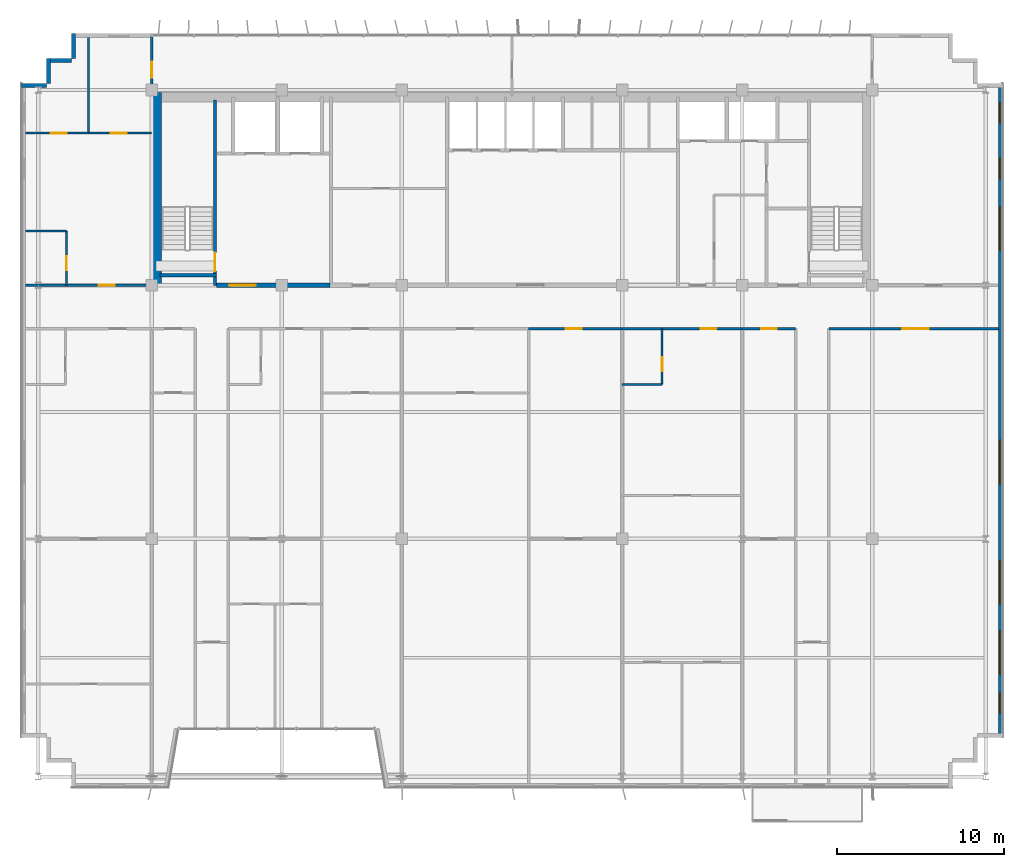
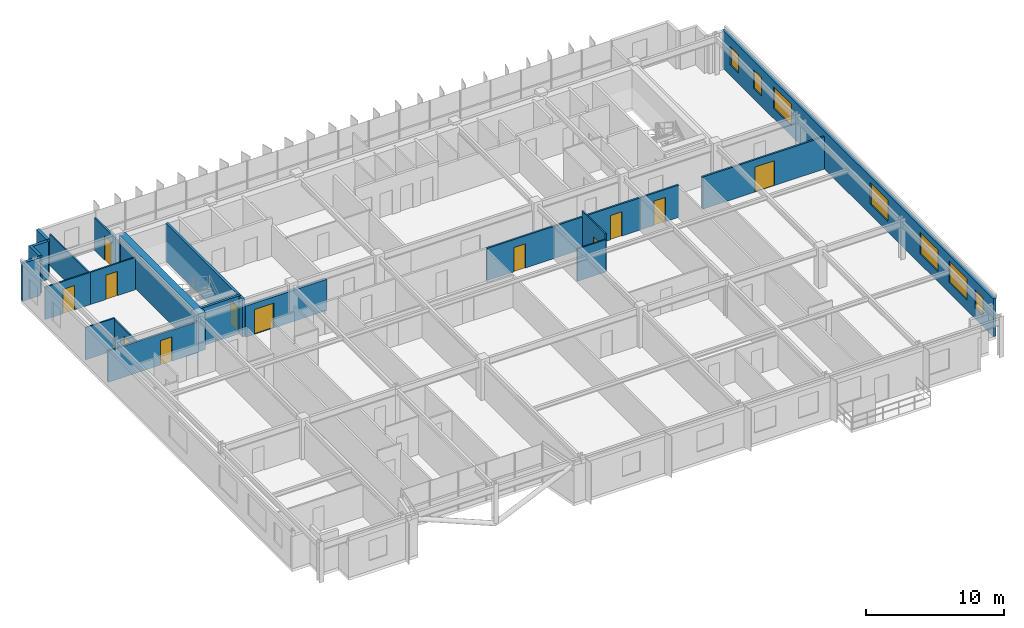
# One storey, part 20 of 24: 22 walls, 12 doors, 7 windows, 19 openings.
"""IFC4 building model written with IfcOpenShell, lengths in metres."""

from ifc_helpers import new_model, si_unit, direction, frame, frame_2d, origin, place, context, subcontext, project, spatial, rectangle, extrude, source, transform, mapped, material, layer, layer_set, type_object, element, fill, save


model = new_model("IFC4")

# Units and contexts
model_context = context("Model", 3, precision=1e-05, world=origin(), true_north=direction((0.0, 1.0)))
body_context = subcontext(model_context, "Body", "Model", "MODEL_VIEW")
ifc_project = project(units=[si_unit("LENGTHUNIT", "METRE"), si_unit("AREAUNIT", "SQUARE_METRE"), si_unit("VOLUMEUNIT", "CUBIC_METRE"), si_unit("PLANEANGLEUNIT", "RADIAN"), si_unit("MASSUNIT", "GRAM", prefix="KILO")], contexts=[model_context])

# Site, building, storey
site_placement = place(None, origin())
site = spatial("IfcSite", under=ifc_project, at=site_placement, CompositionType="ELEMENT")
building_placement = place(site_placement, origin())
building = spatial("IfcBuilding", under=site, at=building_placement, Name="Trelvane Seafront Commons", CompositionType="ELEMENT")
storey_placement = place(building_placement, frame((0.0, 0.0, 175.300048828125)))
storey = spatial("IfcBuildingStorey", under=building, at=storey_placement, Name="L46", CompositionType="ELEMENT", Elevation=175.300048828125)

# Walls
ifc_material_1 = material(Name="Precast concrete C40/50", Category="concrete")
ifc_layer_1 = layer(ifc_material_1, 0.239990234375, Name="ARCH-WALL-EXT240")
ifc_layer_set_1 = layer_set([ifc_layer_1], Name="Precast concrete C40/50")
wall_type_1 = type_object("IfcWallType", Name="ARCH-WALL-EXT240", PredefinedType="SOLIDWALL", material=ifc_layer_set_1)
for number, where, z_axis, x_axis, name in (
    (1, (7.800048828125, 45.3798828125, 0.0), (0.0, 0.0, 1.0), (1.0, 0.0, 0.0), "EW-L46-00915"),
    (2, (9.419921875, 45.5, 0.0), (0.0, 0.0, 1.0), (0.0, 1.0, 0.0), "EW-L46-00916"),
    (3, (9.300048828125, 46.8798828125, 0.0), (0.0, 0.0, 1.0), (1.0, 0.0, 0.0), "EW-L46-00917"),
    (4, (10.919921875, 47.0, 0.0), (0.0, 0.0, 1.0), (0.0, 1.0, 0.0), "EW-L46-00918"),
):
    element("IfcWall", number, at=place(storey_placement, frame(where, z_axis=z_axis, x_axis=x_axis)), inside=storey, type_object=wall_type_1, Name=name, PredefinedType="SOLIDWALL", context=body_context, shape_type="SweptSolid", body=[
        extrude(rectangle(XDim=1.5, YDim=0.239990234375, at=frame_2d((0.75, 0.0))), origin(), (0.0, 0.0, 1.0), 3.349853515625),
    ])

# Wall, openings, windows
wall_1_placement = place(storey_placement, frame((66.47998046875, 45.5, 0.0), z_axis=(0.0, 0.0, 1.0), x_axis=(0.0, -1.0, 0.0)))
wall_1 = element("IfcWall", 5, at=wall_1_placement, inside=storey, type_object=wall_type_1, Name="EW-L46-00923", PredefinedType="SOLIDWALL", context=body_context, shape_type="SweptSolid", body=[
    extrude(rectangle(XDim=39.199951171875, YDim=0.239990234375, at=frame_2d((19.60009765625, 0.0))), origin(), (0.0, 0.0, 1.0), 3.349853515625),
])
opening_1_placement = place(wall_1_placement, frame((36.550048828125, 0.0, 0.919921875)))
opening_1 = element("IfcOpeningElement", 6, at=opening_1_placement, cuts=wall_1, Name="Opening W05", PredefinedType="OPENING", context=body_context, shape_type="SweptSolid", body=[
    extrude(rectangle(XDim=1.199951171875, YDim=1.64990234375, at=frame_2d((0.60009765625, 0.824951171875))), frame((0.0, 0.1298828125, 0.0), z_axis=(0.0, -1.0, 0.0), x_axis=(1.0, 0.0, 0.0)), (0.0, 0.0, 1.0), 0.260009765625),
])
opening_2_placement = place(wall_1_placement, frame((32.800048828125, 0.0, 0.919921875)))
opening_2 = element("IfcOpeningElement", 7, at=opening_2_placement, cuts=wall_1, Name="Opening W04", PredefinedType="OPENING", context=body_context, shape_type="SweptSolid", body=[
    extrude(rectangle(XDim=2.60009765625, YDim=1.89990234375, at=frame_2d((1.300048828125, 0.949951171875))), frame((0.0, 0.1298828125, 0.0), z_axis=(0.0, -1.0, 0.0), x_axis=(1.0, 0.0, 0.0)), (0.0, 0.0, 1.0), 0.260009765625),
])
opening_3_placement = place(wall_1_placement, frame((28.60009765625, 0.0, 0.919921875)))
opening_3 = element("IfcOpeningElement", 8, at=opening_3_placement, cuts=wall_1, Name="Opening W04", PredefinedType="OPENING", context=body_context, shape_type="SweptSolid", body=[
    extrude(rectangle(XDim=2.60009765625, YDim=1.89990234375, at=frame_2d((1.300048828125, 0.949951171875))), frame((0.0, 0.1298828125, 0.0), z_axis=(0.0, -1.0, 0.0), x_axis=(1.0, 0.0, 0.0)), (0.0, 0.0, 1.0), 0.260009765625),
])
opening_4_placement = place(wall_1_placement, frame((21.39990234375, 0.0, 0.919921875)))
opening_4 = element("IfcOpeningElement", 9, at=opening_4_placement, cuts=wall_1, Name="Opening W04", PredefinedType="OPENING", context=body_context, shape_type="SweptSolid", body=[
    extrude(rectangle(XDim=2.60009765625, YDim=1.89990234375, at=frame_2d((1.300048828125, 0.949951171875))), frame((0.0, 0.1298828125, 0.0), z_axis=(0.0, -1.0, 0.0), x_axis=(1.0, 0.0, 0.0)), (0.0, 0.0, 1.0), 0.260009765625),
])
opening_5_placement = place(wall_1_placement, frame((7.39990234375, 0.0, 0.919921875)))
opening_5 = element("IfcOpeningElement", 10, at=opening_5_placement, cuts=wall_1, Name="Opening W04", PredefinedType="OPENING", context=body_context, shape_type="SweptSolid", body=[
    extrude(rectangle(XDim=2.60009765625, YDim=1.89990234375, at=frame_2d((1.300048828125, 0.949951171875))), frame((0.0, 0.1298828125, 0.0), z_axis=(0.0, -1.0, 0.0), x_axis=(1.0, 0.0, 0.0)), (0.0, 0.0, 1.0), 0.260009765625),
])
opening_6_placement = place(wall_1_placement, frame((4.5, 0.0, 0.919921875)))
opening_6 = element("IfcOpeningElement", 11, at=opening_6_placement, cuts=wall_1, Name="Opening W05", PredefinedType="OPENING", context=body_context, shape_type="SweptSolid", body=[
    extrude(rectangle(XDim=1.199951171875, YDim=1.64990234375, at=frame_2d((0.60009765625, 0.824951171875))), frame((0.0, 0.1298828125, 0.0), z_axis=(0.0, -1.0, 0.0), x_axis=(1.0, 0.0, 0.0)), (0.0, 0.0, 1.0), 0.260009765625),
])
opening_7_placement = place(wall_1_placement, frame((1.14990234375, 0.0, 0.919921875)))
opening_7 = element("IfcOpeningElement", 12, at=opening_7_placement, cuts=wall_1, Name="Opening W05", PredefinedType="OPENING", context=body_context, shape_type="SweptSolid", body=[
    extrude(rectangle(XDim=1.199951171875, YDim=1.64990234375, at=frame_2d((0.60009765625, 0.824951171875))), frame((0.0, 0.1298828125, 0.0), z_axis=(0.0, -1.0, 0.0), x_axis=(1.0, 0.0, 0.0)), (0.0, 0.0, 1.0), 0.260009765625),
])
ifc_material_2 = material(Name="Low-E coastal double glazing", Category="glass")
window_type_1 = type_object("IfcWindowType", Name="ARCH-WIN-W04", PartitioningType="SINGLE_PANEL", PredefinedType="WINDOW", material=ifc_material_2)
shared_shape_1 = source(origin(), body_context, "Body", "SweptSolid", [
    extrude(rectangle(XDim=2.60009765625, YDim=1.89990234375, at=frame_2d((1.300048828125, 0.949951171875))), frame((0.0, 0.030029296875, 0.0), z_axis=(0.0, -1.0, 0.0), x_axis=(1.0, 0.0, 0.0)), (0.0, 0.0, 1.0), 0.06005859375),
])
window_1_placement = place(opening_2_placement, origin())
window_1 = element("IfcWindow", 13, at=window_1_placement, inside=storey, type_object=window_type_1, Name="WIN-L46-EW-01099", OverallHeight=1.89990234375, OverallWidth=2.60009765625, PartitioningType="SINGLE_PANEL", PredefinedType="WINDOW", context=body_context, shape_type="MappedRepresentation", body=[
    mapped(shared_shape_1, transform((0.0, 0.0, 0.0), x_axis=(1.0, 0.0, 0.0), y_axis=(0.0, 1.0, 0.0), z_axis=(0.0, 0.0, 1.0), scale=1.0)),
])
fill(opening_2, window_1)
window_2_placement = place(opening_3_placement, origin())
window_2 = element("IfcWindow", 14, at=window_2_placement, inside=storey, type_object=window_type_1, Name="WIN-L46-EW-01100", OverallHeight=1.89990234375, OverallWidth=2.60009765625, PartitioningType="SINGLE_PANEL", PredefinedType="WINDOW", context=body_context, shape_type="MappedRepresentation", body=[
    mapped(shared_shape_1, transform((0.0, 0.0, 0.0), x_axis=(1.0, 0.0, 0.0), y_axis=(0.0, 1.0, 0.0), z_axis=(0.0, 0.0, 1.0), scale=1.0)),
])
fill(opening_3, window_2)
window_3_placement = place(opening_4_placement, origin())
window_3 = element("IfcWindow", 15, at=window_3_placement, inside=storey, type_object=window_type_1, Name="WIN-L46-EW-01101", OverallHeight=1.89990234375, OverallWidth=2.60009765625, PartitioningType="SINGLE_PANEL", PredefinedType="WINDOW", context=body_context, shape_type="MappedRepresentation", body=[
    mapped(shared_shape_1, transform((0.0, 0.0, 0.0), x_axis=(1.0, 0.0, 0.0), y_axis=(0.0, 1.0, 0.0), z_axis=(0.0, 0.0, 1.0), scale=1.0)),
])
fill(opening_4, window_3)
window_4_placement = place(opening_5_placement, origin())
window_4 = element("IfcWindow", 16, at=window_4_placement, inside=storey, type_object=window_type_1, Name="WIN-L46-EW-01102", OverallHeight=1.89990234375, OverallWidth=2.60009765625, PartitioningType="SINGLE_PANEL", PredefinedType="WINDOW", context=body_context, shape_type="MappedRepresentation", body=[
    mapped(shared_shape_1, transform((0.0, 0.0, 0.0), x_axis=(1.0, 0.0, 0.0), y_axis=(0.0, 1.0, 0.0), z_axis=(0.0, 0.0, 1.0), scale=1.0)),
])
fill(opening_5, window_4)
window_type_2 = type_object("IfcWindowType", Name="ARCH-WIN-W05", PartitioningType="SINGLE_PANEL", PredefinedType="WINDOW", material=ifc_material_2)
shared_shape_2 = source(origin(), body_context, "Body", "SweptSolid", [
    extrude(rectangle(XDim=1.199951171875, YDim=1.64990234375, at=frame_2d((0.60009765625, 0.824951171875))), frame((0.0, 0.030029296875, 0.0), z_axis=(0.0, -1.0, 0.0), x_axis=(1.0, 0.0, 0.0)), (0.0, 0.0, 1.0), 0.06005859375),
])
window_5_placement = place(opening_1_placement, origin())
window_5 = element("IfcWindow", 17, at=window_5_placement, inside=storey, type_object=window_type_2, Name="WIN-L46-EW-01098", OverallHeight=1.64990234375, OverallWidth=1.199951171875, PartitioningType="SINGLE_PANEL", PredefinedType="WINDOW", context=body_context, shape_type="MappedRepresentation", body=[
    mapped(shared_shape_2, transform((0.0, 0.0, 0.0), x_axis=(1.0, 0.0, 0.0), y_axis=(0.0, 1.0, 0.0), z_axis=(0.0, 0.0, 1.0), scale=1.0)),
])
fill(opening_1, window_5)
window_6_placement = place(opening_6_placement, origin())
window_6 = element("IfcWindow", 18, at=window_6_placement, inside=storey, type_object=window_type_2, Name="WIN-L46-EW-01103", OverallHeight=1.64990234375, OverallWidth=1.199951171875, PartitioningType="SINGLE_PANEL", PredefinedType="WINDOW", context=body_context, shape_type="MappedRepresentation", body=[
    mapped(shared_shape_2, transform((0.0, 0.0, 0.0), x_axis=(1.0, 0.0, 0.0), y_axis=(0.0, 1.0, 0.0), z_axis=(0.0, 0.0, 1.0), scale=1.0)),
])
fill(opening_6, window_6)
window_7_placement = place(opening_7_placement, origin())
window_7 = element("IfcWindow", 19, at=window_7_placement, inside=storey, type_object=window_type_2, Name="WIN-L46-EW-01104", OverallHeight=1.64990234375, OverallWidth=1.199951171875, PartitioningType="SINGLE_PANEL", PredefinedType="WINDOW", context=body_context, shape_type="MappedRepresentation", body=[
    mapped(shared_shape_2, transform((0.0, 0.0, 0.0), x_axis=(1.0, 0.0, 0.0), y_axis=(0.0, 1.0, 0.0), z_axis=(0.0, 0.0, 1.0), scale=1.0)),
])
fill(opening_7, window_7)

# Wall, opening, door
ifc_material_3 = material(Name="Concrete C40/50", Category="concrete")
ifc_layer_2 = layer(ifc_material_3, 0.25, Name="ARCH-WALL-FIRE250")
ifc_layer_set_2 = layer_set([ifc_layer_2], Name="Concrete C40/50")
wall_type_2 = type_object("IfcWallType", Name="ARCH-WALL-FIRE250", PredefinedType="PARTITIONING", material=ifc_layer_set_2)
wall_2_placement = place(storey_placement, frame((19.5, 33.39990234375, 0.0), z_axis=(0.0, 0.0, 1.0), x_axis=(1.0, 0.0, 0.0)))
wall_2 = element("IfcWall", 20, at=wall_2_placement, inside=storey, type_object=wall_type_2, Name="W-L46-CS-FFL-013", PredefinedType="PARTITIONING", context=body_context, shape_type="SweptSolid", body=[
    extrude(rectangle(XDim=6.800048828125, YDim=0.25, at=frame_2d((3.39990234375, 0.0))), origin(), (0.0, 0.0, 1.0), 2.75),
])
opening_8_placement = place(wall_2_placement, frame((0.75, 0.0, 0.0)))
opening_8 = element("IfcOpeningElement", 21, at=opening_8_placement, cuts=wall_2, Name="Opening FD-L46-05", PredefinedType="OPENING", context=body_context, shape_type="SweptSolid", body=[
    extrude(rectangle(XDim=1.60009765625, YDim=2.199951171875, at=frame_2d((0.800048828125, 1.10009765625))), frame((0.0, 0.135009765625, 0.0), z_axis=(0.0, -1.0, 0.0), x_axis=(1.0, 0.0, 0.0)), (0.0, 0.0, 1.0), 0.27001953125),
])
ifc_material_4 = material(Name="Powder-coated aluminium frame", Category="aluminium")
door_type_1 = type_object("IfcDoorType", Name="ARCH-DR-FD60-1600", OperationType="DOUBLE_DOOR_SINGLE_SWING", PredefinedType="DOOR", material=ifc_material_4)
shared_shape_3 = source(origin(), body_context, "Body", "SweptSolid", [
    extrude(rectangle(XDim=1.60009765625, YDim=2.199951171875, at=frame_2d((0.800048828125, 1.10009765625))), frame((0.0, 0.02490234375, 0.0), z_axis=(0.0, -1.0, 0.0), x_axis=(1.0, 0.0, 0.0)), (0.0, 0.0, 1.0), 0.050048828125),
])
door_1_placement = place(opening_8_placement, origin())
door_1 = element("IfcDoor", 22, at=door_1_placement, inside=storey, type_object=door_type_1, Name="L46 Firefighting Lift Lobby Double Fire Door", OperationType="DOUBLE_DOOR_SINGLE_SWING", OverallHeight=2.199951171875, OverallWidth=1.60009765625, PredefinedType="DOOR", context=body_context, shape_type="MappedRepresentation", body=[
    mapped(shared_shape_3, transform((0.0, 0.0, 0.0), x_axis=(1.0, 0.0, 0.0), y_axis=(0.0, 1.0, 0.0), z_axis=(0.0, 0.0, 1.0), scale=1.0)),
])
fill(opening_8, door_1)

ifc_material_5 = material(Name="Gypsum Drywall Acoustic Partition")
ifc_layer_3 = layer(ifc_material_5, 0.1201171875, Name="ARCH-WALL-PART120")
ifc_layer_set_3 = layer_set([ifc_layer_3], Name="Gypsum Drywall Acoustic Partition")
wall_type_3 = type_object("IfcWallType", Name="ARCH-WALL-PART120", PredefinedType="PARTITIONING", material=ifc_layer_set_3)
wall_3_placement = place(storey_placement, frame((10.5, 33.39990234375, 0.0), z_axis=(0.0, 0.0, 1.0), x_axis=(0.0, 1.0, 0.0)))
wall_3 = element("IfcWall", 23, at=wall_3_placement, inside=storey, type_object=wall_type_3, Name="W-L46-NW-BE-036", PredefinedType="PARTITIONING", context=body_context, shape_type="SweptSolid", body=[
    extrude(rectangle(XDim=3.25, YDim=0.1201171875, at=frame_2d((1.625, 0.0))), origin(), (0.0, 0.0, 1.0), 2.75),
])
opening_9_placement = place(wall_3_placement, frame((0.89990234375, 0.0, 0.0)))
opening_9 = element("IfcOpeningElement", 24, at=opening_9_placement, cuts=wall_3, Name="Opening D-L46-19", PredefinedType="OPENING", context=body_context, shape_type="SweptSolid", body=[
    extrude(rectangle(XDim=0.85009765625, YDim=2.10009765625, at=frame_2d((0.425048828125, 1.050048828125))), frame((0.0, 0.070068359375, 0.0), z_axis=(0.0, -1.0, 0.0), x_axis=(1.0, 0.0, 0.0)), (0.0, 0.0, 1.0), 0.14013671875),
])
ifc_material_6 = material(Name="Acoustic timber door leaf", Category="wood")
door_type_2 = type_object("IfcDoorType", Name="ARCH-DR-INT850", OperationType="NOTDEFINED", PredefinedType="DOOR", material=ifc_material_6)
shared_shape_4 = source(origin(), body_context, "Body", "SweptSolid", [
    extrude(rectangle(XDim=0.85009765625, YDim=2.10009765625, at=frame_2d((0.425048828125, 1.050048828125))), frame((0.0, 0.02490234375, 0.0), z_axis=(0.0, -1.0, 0.0), x_axis=(1.0, 0.0, 0.0)), (0.0, 0.0, 1.0), 0.050048828125),
])
door_2_placement = place(opening_9_placement, origin())
door_2 = element("IfcDoor", 25, at=door_2_placement, inside=storey, type_object=door_type_2, Name="L46 Door 19", OperationType="SINGLE_SWING_LEFT", OverallHeight=2.10009765625, OverallWidth=0.85009765625, PredefinedType="DOOR", context=body_context, shape_type="MappedRepresentation", body=[
    mapped(shared_shape_4, transform((0.0, 0.0, 0.0), x_axis=(1.0, 0.0, 0.0), y_axis=(0.0, 1.0, 0.0), z_axis=(0.0, 0.0, 1.0), scale=1.0)),
])
fill(opening_9, door_2)

# Wall
wall_4_placement = place(storey_placement, frame((8.050048828125, 36.64990234375, 0.0), z_axis=(0.0, 0.0, 1.0), x_axis=(1.0, 0.0, 0.0)))
element("IfcWall", 26, at=wall_4_placement, inside=storey, type_object=wall_type_3, Name="W-L46-NW-BN-037", PredefinedType="PARTITIONING", context=body_context, shape_type="SweptSolid", body=[
    extrude(rectangle(XDim=2.449951171875, YDim=0.1201171875, at=frame_2d((1.22509765625, 0.0))), origin(), (0.0, 0.0, 1.0), 2.849853515625),
])

# Wall, opening, door
wall_5_placement = place(storey_placement, frame((8.050048828125, 42.52001953125, 0.0), z_axis=(0.0, 0.0, 1.0), x_axis=(1.0, 0.0, 0.0)))
wall_5 = element("IfcWall", 27, at=wall_5_placement, inside=storey, type_object=wall_type_3, Name="W-L46-NW-KB1-038", PredefinedType="PARTITIONING", context=body_context, shape_type="SweptSolid", body=[
    extrude(rectangle(XDim=3.77490234375, YDim=0.1201171875, at=frame_2d((1.887451171875, 0.0))), origin(), (0.0, 0.0, 1.0), 2.849853515625),
])
opening_10_placement = place(wall_5_placement, frame((1.506103515625, 0.0, 0.0)))
opening_10 = element("IfcOpeningElement", 28, at=opening_10_placement, cuts=wall_5, Name="Opening D-L46-20", PredefinedType="OPENING", context=body_context, shape_type="SweptSolid", body=[
    extrude(rectangle(XDim=0.949951171875, YDim=2.14990234375, at=frame_2d((0.47509765625, 1.074951171875))), frame((0.0, 0.070068359375, 0.0), z_axis=(0.0, -1.0, 0.0), x_axis=(1.0, 0.0, 0.0)), (0.0, 0.0, 1.0), 0.14013671875),
])
door_type_3 = type_object("IfcDoorType", Name="ARCH-DR-INT950", OperationType="NOTDEFINED", PredefinedType="DOOR", material=ifc_material_6)
shared_shape_5 = source(origin(), body_context, "Body", "SweptSolid", [
    extrude(rectangle(XDim=0.949951171875, YDim=2.14990234375, at=frame_2d((0.47509765625, 1.074951171875))), frame((0.0, 0.02490234375, 0.0), z_axis=(0.0, -1.0, 0.0), x_axis=(1.0, 0.0, 0.0)), (0.0, 0.0, 1.0), 0.050048828125),
])
door_3_placement = place(opening_10_placement, origin())
door_3 = element("IfcDoor", 29, at=door_3_placement, inside=storey, type_object=door_type_3, Name="L46 Door 20", OperationType="SINGLE_SWING_RIGHT", OverallHeight=2.14990234375, OverallWidth=0.949951171875, PredefinedType="DOOR", context=body_context, shape_type="MappedRepresentation", body=[
    mapped(shared_shape_5, transform((0.0, 0.0, 0.0), x_axis=(1.0, 0.0, 0.0), y_axis=(0.0, 1.0, 0.0), z_axis=(0.0, 0.0, 1.0), scale=1.0)),
])
fill(opening_10, door_3)

wall_6_placement = place(storey_placement, frame((11.824951171875, 42.52001953125, 0.0), z_axis=(0.0, 0.0, 1.0), x_axis=(1.0, 0.0, 0.0)))
wall_6 = element("IfcWall", 30, at=wall_6_placement, inside=storey, type_object=wall_type_3, Name="W-L46-NW-KB2-039", PredefinedType="PARTITIONING", context=body_context, shape_type="SweptSolid", body=[
    extrude(rectangle(XDim=3.775146484375, YDim=0.1201171875, at=frame_2d((1.8876953125, 0.0))), origin(), (0.0, 0.0, 1.0), 2.849853515625),
])
opening_11_placement = place(wall_6_placement, frame((1.319091796875, 0.0, 0.0)))
opening_11 = element("IfcOpeningElement", 31, at=opening_11_placement, cuts=wall_6, Name="Opening D-L46-21", PredefinedType="OPENING", context=body_context, shape_type="SweptSolid", body=[
    extrude(rectangle(XDim=0.949951171875, YDim=2.14990234375, at=frame_2d((0.47509765625, 1.074951171875))), frame((0.0, 0.070068359375, 0.0), z_axis=(0.0, -1.0, 0.0), x_axis=(1.0, 0.0, 0.0)), (0.0, 0.0, 1.0), 0.14013671875),
])
door_4_placement = place(opening_11_placement, origin())
door_4 = element("IfcDoor", 32, at=door_4_placement, inside=storey, type_object=door_type_3, Name="L46 Door 21", OperationType="SINGLE_SWING_LEFT", OverallHeight=2.14990234375, OverallWidth=0.949951171875, PredefinedType="DOOR", context=body_context, shape_type="MappedRepresentation", body=[
    mapped(shared_shape_5, transform((0.0, 0.0, 0.0), x_axis=(1.0, 0.0, 0.0), y_axis=(0.0, 1.0, 0.0), z_axis=(0.0, 0.0, 1.0), scale=1.0)),
])
fill(opening_11, door_4)

# Wall
wall_7_placement = place(storey_placement, frame((11.824951171875, 42.52001953125, 0.0), z_axis=(0.0, 0.0, 1.0), x_axis=(0.0, 1.0, 0.0)))
element("IfcWall", 33, at=wall_7_placement, inside=storey, type_object=wall_type_3, Name="W-L46-NW-KBDV-040", PredefinedType="PARTITIONING", context=body_context, shape_type="SweptSolid", body=[
    extrude(rectangle(XDim=5.739990234375, YDim=0.1201171875, at=frame_2d((2.8701171875, 0.0))), origin(), (0.0, 0.0, 1.0), 2.75),
])

# Wall, opening, door
wall_8_placement = place(storey_placement, frame((46.199951171875, 27.449951171875, 0.0), z_axis=(0.0, 0.0, 1.0), x_axis=(0.0, 1.0, 0.0)))
wall_8 = element("IfcWall", 34, at=wall_8_placement, inside=storey, type_object=wall_type_3, Name="W-L46-U8-BE-076", PredefinedType="PARTITIONING", context=body_context, shape_type="SweptSolid", body=[
    extrude(rectangle(XDim=3.35009765625, YDim=0.1201171875, at=frame_2d((1.675048828125, 0.0))), origin(), (0.0, 0.0, 1.0), 3.349853515625),
])
opening_12_placement = place(wall_8_placement, frame((0.800048828125, 0.0, 0.0)))
opening_12 = element("IfcOpeningElement", 35, at=opening_12_placement, cuts=wall_8, Name="Opening D-L46-46", PredefinedType="OPENING", context=body_context, shape_type="SweptSolid", body=[
    extrude(rectangle(XDim=0.85009765625, YDim=2.10009765625, at=frame_2d((0.425048828125, 1.050048828125))), frame((0.0, 0.070068359375, 0.0), z_axis=(0.0, -1.0, 0.0), x_axis=(1.0, 0.0, 0.0)), (0.0, 0.0, 1.0), 0.14013671875),
])
door_5_placement = place(opening_12_placement, origin())
door_5 = element("IfcDoor", 36, at=door_5_placement, inside=storey, type_object=door_type_2, Name="L46 Door 46", OperationType="SINGLE_SWING_RIGHT", OverallHeight=2.10009765625, OverallWidth=0.85009765625, PredefinedType="DOOR", context=body_context, shape_type="MappedRepresentation", body=[
    mapped(shared_shape_4, transform((0.0, 0.0, 0.0), x_axis=(1.0, 0.0, 0.0), y_axis=(0.0, 1.0, 0.0), z_axis=(0.0, 0.0, 1.0), scale=1.0)),
])
fill(opening_12, door_5)

# Wall
wall_9_placement = place(storey_placement, frame((43.800048828125, 27.449951171875, 0.0), z_axis=(0.0, 0.0, 1.0), x_axis=(1.0, 0.0, 0.0)))
element("IfcWall", 37, at=wall_9_placement, inside=storey, type_object=wall_type_3, Name="W-L46-U8-BS-077", PredefinedType="PARTITIONING", context=body_context, shape_type="SweptSolid", body=[
    extrude(rectangle(XDim=2.39990234375, YDim=0.1201171875, at=frame_2d((1.199951171875, 0.0))), origin(), (0.0, 0.0, 1.0), 2.849853515625),
])

# Wall, opening, door
ifc_layer_4 = layer(ifc_material_5, 0.14990234375, Name="ARCH-WALL-PART150")
ifc_layer_set_4 = layer_set([ifc_layer_4], Name="Gypsum Drywall Acoustic Partition")
wall_type_4 = type_object("IfcWallType", Name="ARCH-WALL-PART150", PredefinedType="PARTITIONING", material=ifc_layer_set_4)
wall_10_placement = place(storey_placement, frame((8.050048828125, 33.39990234375, 0.0), z_axis=(0.0, 0.0, 1.0), x_axis=(1.0, 0.0, 0.0)))
wall_10 = element("IfcWall", 38, at=wall_10_placement, inside=storey, type_object=wall_type_4, Name="W-L46-NW-ENT-041", PredefinedType="PARTITIONING", context=body_context, shape_type="SweptSolid", body=[
    extrude(rectangle(XDim=7.550048828125, YDim=0.14990234375, at=frame_2d((3.77490234375, 0.0))), origin(), (0.0, 0.0, 1.0), 2.75),
])
opening_13_placement = place(wall_10_placement, frame((4.375, 0.0, 0.0)))
opening_13 = element("IfcOpeningElement", 39, at=opening_13_placement, cuts=wall_10, Name="Opening FD-L46-22", PredefinedType="OPENING", context=body_context, shape_type="SweptSolid", body=[
    extrude(rectangle(XDim=0.949951171875, YDim=2.14990234375, at=frame_2d((0.47509765625, 1.074951171875))), frame((0.0, 0.0849609375, 0.0), z_axis=(0.0, -1.0, 0.0), x_axis=(1.0, 0.0, 0.0)), (0.0, 0.0, 1.0), 0.169921875),
])
door_type_4 = type_object("IfcDoorType", Name="ARCH-DR-FD60-950", OperationType="NOTDEFINED", PredefinedType="DOOR", material=ifc_material_4)
door_6_placement = place(opening_13_placement, origin())
door_6 = element("IfcDoor", 40, at=door_6_placement, inside=storey, type_object=door_type_4, Name="L46 NW Flat Entrance Door", OperationType="SINGLE_SWING_RIGHT", OverallHeight=2.14990234375, OverallWidth=0.949951171875, PredefinedType="DOOR", context=body_context, shape_type="MappedRepresentation", body=[
    mapped(shared_shape_5, transform((0.0, 0.0, 0.0), x_axis=(1.0, 0.0, 0.0), y_axis=(0.0, 1.0, 0.0), z_axis=(0.0, 0.0, 1.0), scale=1.0)),
])
fill(opening_13, door_6)

wall_11_placement = place(storey_placement, frame((15.60009765625, 44.75, 0.0), z_axis=(0.0, 0.0, 1.0), x_axis=(0.0, 1.0, 0.0)))
wall_11 = element("IfcWall", 41, at=wall_11_placement, inside=storey, type_object=wall_type_4, Name="W-L46-N-LINK-W-044", PredefinedType="PARTITIONING", context=body_context, shape_type="SweptSolid", body=[
    extrude(rectangle(XDim=3.610107421875, YDim=0.14990234375, at=frame_2d((1.80517578125, 0.0))), origin(), (0.0, 0.0, 1.0), 2.849853515625),
])
opening_14_placement = place(wall_11_placement, frame((1.10009765625, 0.0, 0.0)))
opening_14 = element("IfcOpeningElement", 42, at=opening_14_placement, cuts=wall_11, Name="Opening FD-L46-25", PredefinedType="OPENING", context=body_context, shape_type="SweptSolid", body=[
    extrude(rectangle(XDim=0.949951171875, YDim=2.14990234375, at=frame_2d((0.47509765625, 1.074951171875))), frame((0.0, 0.0849609375, 0.0), z_axis=(0.0, -1.0, 0.0), x_axis=(1.0, 0.0, 0.0)), (0.0, 0.0, 1.0), 0.169921875),
])
door_7_placement = place(opening_14_placement, origin())
door_7 = element("IfcDoor", 43, at=door_7_placement, inside=storey, type_object=door_type_4, Name="L46 Door 25", OperationType="SINGLE_SWING_LEFT", OverallHeight=2.14990234375, OverallWidth=0.949951171875, PredefinedType="DOOR", context=body_context, shape_type="MappedRepresentation", body=[
    mapped(shared_shape_5, transform((0.0, 0.0, 0.0), x_axis=(1.0, 0.0, 0.0), y_axis=(0.0, 1.0, 0.0), z_axis=(0.0, 0.0, 1.0), scale=1.0)),
])
fill(opening_14, door_7)

wall_12_placement = place(storey_placement, frame((38.199951171875, 30.800048828125, 0.0), z_axis=(0.0, 0.0, 1.0), x_axis=(1.0, 0.0, 0.0)))
wall_12 = element("IfcWall", 44, at=wall_12_placement, inside=storey, type_object=wall_type_4, Name="W-L46-CS-BAY-7-073", PredefinedType="PARTITIONING", context=body_context, shape_type="SweptSolid", body=[
    extrude(rectangle(XDim=5.60009765625, YDim=0.14990234375, at=frame_2d((2.800048828125, 0.0))), origin(), (0.0, 0.0, 1.0), 2.849853515625),
])
opening_15_placement = place(wall_12_placement, frame((2.23193359375, 0.0, 0.0)))
opening_15 = element("IfcOpeningElement", 45, at=opening_15_placement, cuts=wall_12, Name="Opening FD-L46-43", PredefinedType="OPENING", context=body_context, shape_type="SweptSolid", body=[
    extrude(rectangle(XDim=0.949951171875, YDim=2.14990234375, at=frame_2d((0.47509765625, 1.074951171875))), frame((0.0, 0.0849609375, 0.0), z_axis=(0.0, -1.0, 0.0), x_axis=(1.0, 0.0, 0.0)), (0.0, 0.0, 1.0), 0.169921875),
])
door_8_placement = place(opening_15_placement, origin())
door_8 = element("IfcDoor", 46, at=door_8_placement, inside=storey, type_object=door_type_4, Name="L46 Bay 07 Entrance Door", OperationType="SINGLE_SWING_LEFT", OverallHeight=2.14990234375, OverallWidth=0.949951171875, PredefinedType="DOOR", context=body_context, shape_type="MappedRepresentation", body=[
    mapped(shared_shape_5, transform((0.0, 0.0, 0.0), x_axis=(1.0, 0.0, 0.0), y_axis=(0.0, 1.0, 0.0), z_axis=(0.0, 0.0, 1.0), scale=1.0)),
])
fill(opening_15, door_8)

wall_13_placement = place(storey_placement, frame((43.800048828125, 30.800048828125, 0.0), z_axis=(0.0, 0.0, 1.0), x_axis=(1.0, 0.0, 0.0)))
wall_13 = element("IfcWall", 47, at=wall_13_placement, inside=storey, type_object=wall_type_4, Name="W-L46-CS-BAY-8-078", PredefinedType="PARTITIONING", context=body_context, shape_type="SweptSolid", body=[
    extrude(rectangle(XDim=7.199951171875, YDim=0.14990234375, at=frame_2d((3.60009765625, 0.0))), origin(), (0.0, 0.0, 1.0), 2.849853515625),
])
opening_16_placement = place(wall_13_placement, frame((4.7060546875, 0.0, 0.0)))
opening_16 = element("IfcOpeningElement", 48, at=opening_16_placement, cuts=wall_13, Name="Opening FD-L46-47", PredefinedType="OPENING", context=body_context, shape_type="SweptSolid", body=[
    extrude(rectangle(XDim=0.949951171875, YDim=2.14990234375, at=frame_2d((0.47509765625, 1.074951171875))), frame((0.0, 0.0849609375, 0.0), z_axis=(0.0, -1.0, 0.0), x_axis=(1.0, 0.0, 0.0)), (0.0, 0.0, 1.0), 0.169921875),
])
door_9_placement = place(opening_16_placement, origin())
door_9 = element("IfcDoor", 49, at=door_9_placement, inside=storey, type_object=door_type_4, Name="L46 Unit 08 Entrance Door", OperationType="SINGLE_SWING_LEFT", OverallHeight=2.14990234375, OverallWidth=0.949951171875, PredefinedType="DOOR", context=body_context, shape_type="MappedRepresentation", body=[
    mapped(shared_shape_5, transform((0.0, 0.0, 0.0), x_axis=(1.0, 0.0, 0.0), y_axis=(0.0, 1.0, 0.0), z_axis=(0.0, 0.0, 1.0), scale=1.0)),
])
fill(opening_16, door_9)

wall_14_placement = place(storey_placement, frame((51.0, 30.800048828125, 0.0), z_axis=(0.0, 0.0, 1.0), x_axis=(1.0, 0.0, 0.0)))
wall_14 = element("IfcWall", 50, at=wall_14_placement, inside=storey, type_object=wall_type_4, Name="W-L46-CS-BAY-9-082", PredefinedType="PARTITIONING", context=body_context, shape_type="SweptSolid", body=[
    extrude(rectangle(XDim=3.199951171875, YDim=0.14990234375, at=frame_2d((1.60009765625, 0.0))), origin(), (0.0, 0.0, 1.0), 2.849853515625),
])
opening_17_placement = place(wall_14_placement, frame((1.125, 0.0, 0.0)))
opening_17 = element("IfcOpeningElement", 51, at=opening_17_placement, cuts=wall_14, Name="Opening FD-L46-50", PredefinedType="OPENING", context=body_context, shape_type="SweptSolid", body=[
    extrude(rectangle(XDim=0.949951171875, YDim=2.14990234375, at=frame_2d((0.47509765625, 1.074951171875))), frame((0.0, 0.0849609375, 0.0), z_axis=(0.0, -1.0, 0.0), x_axis=(1.0, 0.0, 0.0)), (0.0, 0.0, 1.0), 0.169921875),
])
door_10_placement = place(opening_17_placement, origin())
door_10 = element("IfcDoor", 52, at=door_10_placement, inside=storey, type_object=door_type_4, Name="L46 Bay 09 Entrance Door", OperationType="SINGLE_SWING_RIGHT", OverallHeight=2.14990234375, OverallWidth=0.949951171875, PredefinedType="DOOR", context=body_context, shape_type="MappedRepresentation", body=[
    mapped(shared_shape_5, transform((0.0, 0.0, 0.0), x_axis=(1.0, 0.0, 0.0), y_axis=(0.0, 1.0, 0.0), z_axis=(0.0, 0.0, 1.0), scale=1.0)),
])
fill(opening_17, door_10)

wall_15_placement = place(storey_placement, frame((56.199951171875, 30.800048828125, 0.0), z_axis=(0.0, 0.0, 1.0), x_axis=(1.0, 0.0, 0.0)))
wall_15 = element("IfcWall", 53, at=wall_15_placement, inside=storey, type_object=wall_type_4, Name="W-L46-CS-BAY-11-087", PredefinedType="PARTITIONING", context=body_context, shape_type="SweptSolid", body=[
    extrude(rectangle(XDim=10.175048828125, YDim=0.14990234375, at=frame_2d((5.08740234375, 0.0))), origin(), (0.0, 0.0, 1.0), 2.849853515625),
])
opening_18_placement = place(wall_15_placement, frame((4.3779296875, 0.0, 0.0)))
opening_18 = element("IfcOpeningElement", 54, at=opening_18_placement, cuts=wall_15, Name="Opening D-L46-53", PredefinedType="OPENING", context=body_context, shape_type="SweptSolid", body=[
    extrude(rectangle(XDim=1.60009765625, YDim=2.199951171875, at=frame_2d((0.800048828125, 1.10009765625))), frame((0.0, 0.0849609375, 0.0), z_axis=(0.0, -1.0, 0.0), x_axis=(1.0, 0.0, 0.0)), (0.0, 0.0, 1.0), 0.169921875),
])
door_type_5 = type_object("IfcDoorType", Name="ARCH-DR-GLZ1600", OperationType="DOUBLE_DOOR_SINGLE_SWING", PredefinedType="DOOR", material=ifc_material_6)
door_11_placement = place(opening_18_placement, origin())
door_11 = element("IfcDoor", 55, at=door_11_placement, inside=storey, type_object=door_type_5, Name="L46 Commons Lounge 11 Door", OperationType="DOUBLE_DOOR_SINGLE_SWING", OverallHeight=2.199951171875, OverallWidth=1.60009765625, PredefinedType="DOOR", context=body_context, shape_type="MappedRepresentation", body=[
    mapped(shared_shape_3, transform((0.0, 0.0, 0.0), x_axis=(1.0, 0.0, 0.0), y_axis=(0.0, 1.0, 0.0), z_axis=(0.0, 0.0, 1.0), scale=1.0)),
])
fill(opening_18, door_11)

# Walls
ifc_material_7 = material(Name="Concrete C50/60", Category="concrete")
ifc_layer_5 = layer(ifc_material_7, 0.550048828125, Name="STR-WALL-CORE550")
ifc_layer_set_5 = layer_set([ifc_layer_5], Name="Concrete C50/60")
wall_type_5 = type_object("IfcWallType", Name="STR-WALL-CORE550", PredefinedType="SHEAR", material=ifc_layer_set_5)
wall_16_placement = place(storey_placement, frame((15.925048828125, 33.39990234375, 0.0), z_axis=(0.0, 0.0, 1.0), x_axis=(0.0, 1.0, 0.0)))
element("IfcWall", 56, at=wall_16_placement, inside=storey, type_object=wall_type_5, Name="W-L46-CW-END-002", PredefinedType="SHEAR", context=body_context, shape_type="SweptSolid", body=[
    extrude(rectangle(XDim=11.550048828125, YDim=0.550048828125, at=frame_2d((5.77490234375, 0.0))), origin(), (0.0, 0.0, 1.0), 3.349853515625),
])
ifc_layer_6 = layer(ifc_material_7, 0.199951171875, Name="STR-WALL-STAIR200")
ifc_layer_set_6 = layer_set([ifc_layer_6], Name="Concrete C50/60")
wall_type_6 = type_object("IfcWallType", Name="STR-WALL-STAIR200", PredefinedType="SHEAR", material=ifc_layer_set_6)
wall_17_placement = place(storey_placement, frame((16.10009765625, 34.0, 0.0), z_axis=(0.0, 0.0, 1.0), x_axis=(1.0, 0.0, 0.0)))
element("IfcWall", 57, at=wall_17_placement, inside=storey, type_object=wall_type_6, Name="W-L46-ST1-S-004", PredefinedType="SHEAR", context=body_context, shape_type="SweptSolid", body=[
    extrude(rectangle(XDim=3.39990234375, YDim=0.199951171875, at=frame_2d((1.699951171875, 0.0))), origin(), (0.0, 0.0, 1.0), 3.349853515625),
])

# Wall, opening, door
wall_18_placement = place(storey_placement, frame((19.39990234375, 33.39990234375, 0.0), z_axis=(0.0, 0.0, 1.0), x_axis=(0.0, 1.0, 0.0)))
wall_18 = element("IfcWall", 58, at=wall_18_placement, inside=storey, type_object=wall_type_6, Name="W-L46-ST1-E-005", PredefinedType="SHEAR", context=body_context, shape_type="SweptSolid", body=[
    extrude(rectangle(XDim=11.10009765625, YDim=0.199951171875, at=frame_2d((5.550048828125, 0.0))), origin(), (0.0, 0.0, 1.0), 3.349853515625),
])
opening_19_placement = place(wall_18_placement, frame((0.85009765625, 0.0, 0.0)))
opening_19 = element("IfcOpeningElement", 59, at=opening_19_placement, cuts=wall_18, Name="Opening ST-D1-L46", PredefinedType="OPENING", context=body_context, shape_type="SweptSolid", body=[
    extrude(rectangle(XDim=1.10009765625, YDim=2.14990234375, at=frame_2d((0.550048828125, 1.074951171875))), frame((0.0, 0.10986328125, 0.0), z_axis=(0.0, -1.0, 0.0), x_axis=(1.0, 0.0, 0.0)), (0.0, 0.0, 1.0), 0.219970703125),
])
door_type_6 = type_object("IfcDoorType", Name="ARCH-DR-FD90-1100", OperationType="NOTDEFINED", PredefinedType="DOOR", material=ifc_material_4)
shared_shape_6 = source(origin(), body_context, "Body", "SweptSolid", [
    extrude(rectangle(XDim=1.10009765625, YDim=2.14990234375, at=frame_2d((0.550048828125, 1.074951171875))), frame((0.0, 0.02490234375, 0.0), z_axis=(0.0, -1.0, 0.0), x_axis=(1.0, 0.0, 0.0)), (0.0, 0.0, 1.0), 0.050048828125),
])
door_12_placement = place(opening_19_placement, origin())
door_12 = element("IfcDoor", 60, at=door_12_placement, inside=storey, type_object=door_type_6, Name="L46 Stair ST-1 Lobby Fire Door", OperationType="SINGLE_SWING_LEFT", OverallHeight=2.14990234375, OverallWidth=1.10009765625, PredefinedType="DOOR", context=body_context, shape_type="MappedRepresentation", body=[
    mapped(shared_shape_6, transform((0.0, 0.0, 0.0), x_axis=(1.0, 0.0, 0.0), y_axis=(0.0, 1.0, 0.0), z_axis=(0.0, 0.0, 1.0), scale=1.0)),
])
fill(opening_19, door_12)

save(model, "model.ifc")
